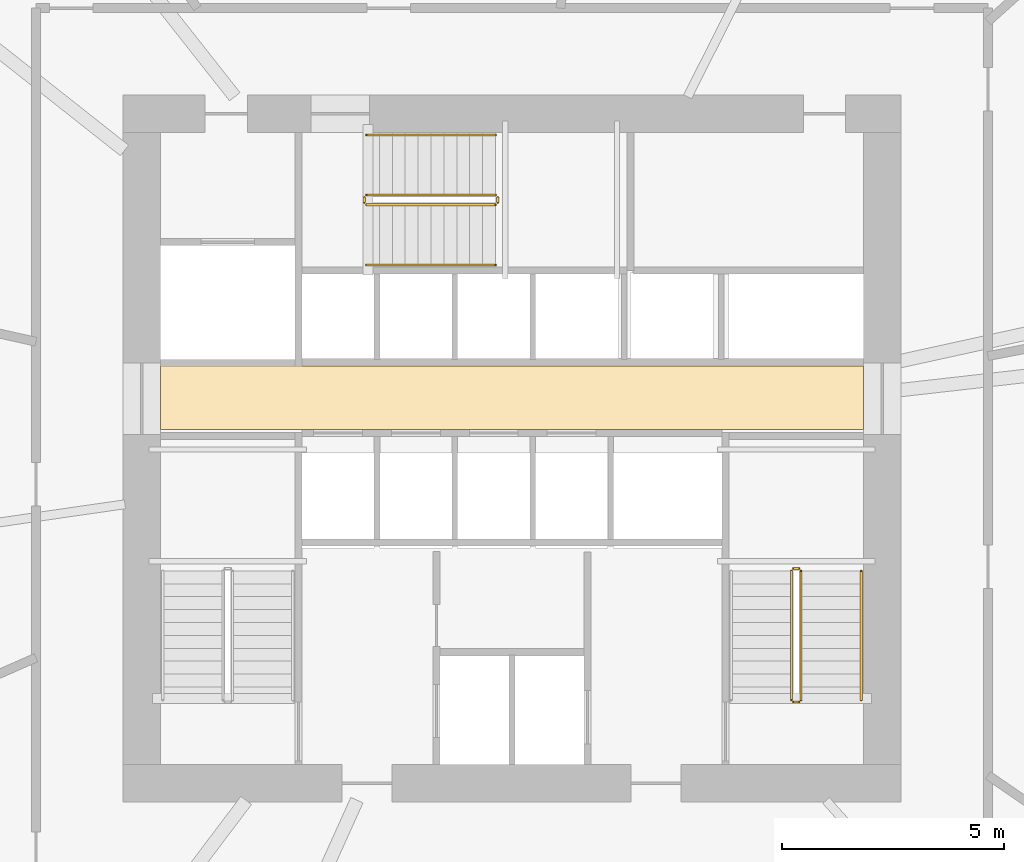
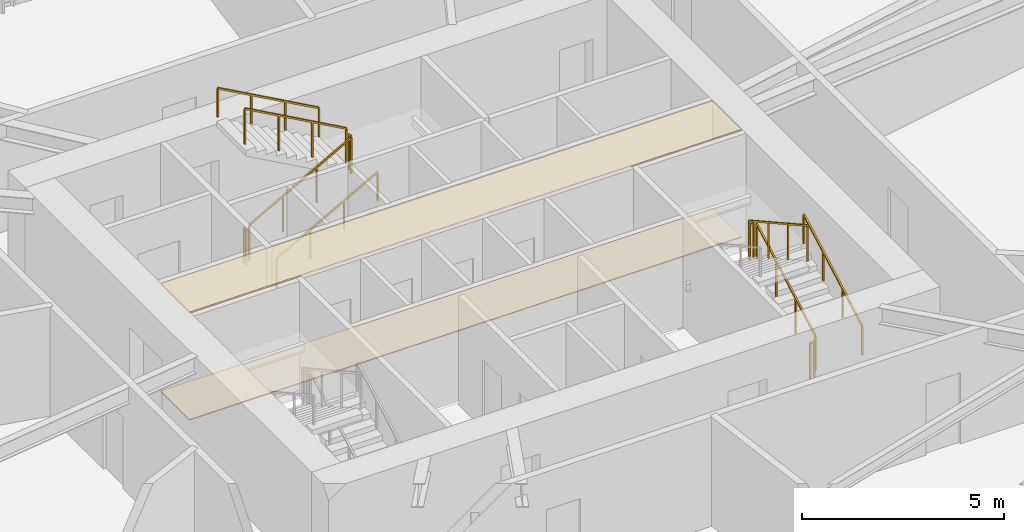
# One storey, part 23 of 24: 11 railings, 2 coverings.
"""IFC4 building model written with IfcOpenShell, lengths in metres."""

from ifc_helpers import new_model, si_unit, direction, frame, origin, origin_2d, place, context, subcontext, project, spatial, polyline, rectangle, outline, extrude, material, layer, layer_set, type_object, element, save


model = new_model("IFC4")

# Units and contexts
model_context = context("Model", 3, precision=1e-05, world=origin(), true_north=direction((0.0, 1.0)))
body_context = subcontext(model_context, "Body", "Model", "MODEL_VIEW")
ifc_project = project(units=[si_unit("LENGTHUNIT", "METRE"), si_unit("AREAUNIT", "SQUARE_METRE"), si_unit("VOLUMEUNIT", "CUBIC_METRE"), si_unit("PLANEANGLEUNIT", "RADIAN"), si_unit("MASSUNIT", "GRAM", prefix="KILO")], contexts=[model_context])

# Site, building, storey
site_placement = place(None, origin())
site = spatial("IfcSite", under=ifc_project, at=site_placement, CompositionType="ELEMENT")
building_placement = place(site_placement, origin())
building = spatial("IfcBuilding", under=site, at=building_placement, Name="Olszyna Solenne Hotel", CompositionType="ELEMENT")
storey_placement = place(building_placement, frame((0.0, 0.0, 64.800048828125)))
storey = spatial("IfcBuildingStorey", under=building, at=storey_placement, Name="L16", CompositionType="ELEMENT", Elevation=64.800048828125)

# Coverings
ifc_material_1 = material(Name="Mineral wool acoustic ceiling")
ifc_layer_1 = layer(ifc_material_1, 0.0400390625, Name="Mineral wool acoustic ceiling")
ifc_layer_set_1 = layer_set([ifc_layer_1], Name="Mineral wool acoustic ceiling")
covering_type_1 = type_object("IfcCoveringType", Name="CL-AC1", PredefinedType="CEILING", material=ifc_layer_set_1)
covering_1_placement = place(storey_placement, frame((0.0, 0.0, 3.239990234375)))
element("IfcCovering", 1, at=covering_1_placement, inside=storey, type_object=covering_type_1, Name="Lift lobby acoustic tile ceiling CL-L16-01", PredefinedType="CEILING", context=body_context, shape_type="SweptSolid", body=[
    extrude(outline(polyline([(30.10009765625, 27.030029296875), (45.89990234375, 27.030029296875), (45.89990234375, 28.4599609375), (30.10009765625, 28.4599609375), (30.10009765625, 27.030029296875)])), origin(), (0.0, 0.0, 1.0), 0.0400390625),
])
ifc_material_2 = material(Name="Ceramic floor tile")
ifc_layer_2 = layer(ifc_material_2, 0.030029296875, Name="Ceramic floor tile")
ifc_layer_set_2 = layer_set([ifc_layer_2], Name="Ceramic floor tile")
covering_type_2 = type_object("IfcCoveringType", Name="FL-TL1", PredefinedType="FLOORING", material=ifc_layer_set_2)
covering_2_placement = place(storey_placement, origin())
element("IfcCovering", 2, at=covering_2_placement, inside=storey, type_object=covering_type_2, Name="Lift lobby stoneware floor finish FLR-L16-01", PredefinedType="FLOORING", context=body_context, shape_type="SweptSolid", body=[
    extrude(outline(polyline([(30.10009765625, 27.030029296875), (45.89990234375, 27.030029296875), (45.89990234375, 28.4599609375), (30.10009765625, 28.4599609375), (30.10009765625, 27.030029296875)])), origin(), (0.0, 0.0, 1.0), 0.030029296875),
])

# Railings
ifc_material_3 = material(Name="Anodised bronze aluminium", Category="aluminium")
railing_type_1 = type_object("IfcRailingType", Name="GR-110", PredefinedType="BALUSTRADE", material=ifc_material_3)
railing_1_placement = place(storey_placement, frame((44.5, 20.949951171875, 0.161376953125)))
element("IfcRailing", 3, at=railing_1_placement, inside=storey, type_object=railing_type_1, Name="L16 ST2 stair guard 1", PredefinedType="BALUSTRADE", context=body_context, shape_type="SweptSolid", body=[
    extrude(rectangle(XDim=0.048095703125, YDim=0.048095703125, at=origin_2d()), frame((0.0, 0.0, 1.076171875), z_axis=(0.0, 0.873858693841, 0.486179990537), x_axis=(-1.0, 0.0, 0.0)), (0.0, 0.0, 1.0), 3.31884765625),
    extrude(rectangle(XDim=0.0419921875, YDim=0.0419921875, at=origin_2d()), origin(), (0.0, 0.0, 1.0), 1.052001953125),
    extrude(rectangle(XDim=0.0419921875, YDim=0.0419921875, at=origin_2d()), frame((0.0, 0.966796875, 0.537841796875)), (0.0, 0.0, 1.0), 1.052001953125),
    extrude(rectangle(XDim=0.0419921875, YDim=0.0419921875, at=origin_2d()), frame((0.0, 1.933349609375, 1.07568359375)), (0.0, 0.0, 1.0), 1.052001953125),
    extrude(rectangle(XDim=0.0419921875, YDim=0.0419921875, at=origin_2d()), frame((0.0, 2.900146484375, 1.613525390625)), (0.0, 0.0, 1.0), 1.052001953125),
])
railing_2_placement = place(storey_placement, frame((44.449951171875, 23.89990234375, 1.77490234375)))
element("IfcRailing", 4, at=railing_2_placement, inside=storey, type_object=railing_type_1, Name="L16 ST2 stair guard 2", PredefinedType="BALUSTRADE", context=body_context, shape_type="SweptSolid", body=[
    extrude(rectangle(XDim=0.048095703125, YDim=0.048095703125, at=origin_2d()), frame((0.0, 0.0, 1.076171875), z_axis=(-1.0, 0.0, 0.0), x_axis=(0.0, -1.0, 0.0)), (0.0, 0.0, 1.0), 0.119873046875),
    extrude(rectangle(XDim=0.0419921875, YDim=0.0419921875, at=origin_2d()), origin(), (0.0, 0.0, 1.0), 1.052001953125),
    extrude(rectangle(XDim=0.0419921875, YDim=0.0419921875, at=origin_2d()), frame((-0.119873046875, 0.0, 0.0)), (0.0, 0.0, 1.0), 1.052001953125),
])
railing_3_placement = place(storey_placement, frame((44.280029296875, 23.85009765625, 1.936279296875)))
element("IfcRailing", 5, at=railing_3_placement, inside=storey, type_object=railing_type_1, Name="L16 ST2 stair guard 3", PredefinedType="BALUSTRADE", context=body_context, shape_type="SweptSolid", body=[
    extrude(rectangle(XDim=0.048095703125, YDim=0.048095703125, at=origin_2d()), frame((0.0, 0.0, 1.076171875), z_axis=(0.0, -0.873827439584, 0.48623616261), x_axis=(1.0, 0.0, 0.0)), (0.0, 0.0, 1.0), 3.31884765625),
    extrude(rectangle(XDim=0.0419921875, YDim=0.0419921875, at=origin_2d()), origin(), (0.0, 0.0, 1.0), 1.052001953125),
    extrude(rectangle(XDim=0.0419921875, YDim=0.0419921875, at=origin_2d()), frame((0.0, -0.966796875, 0.537841796875)), (0.0, 0.0, 1.0), 1.052001953125),
    extrude(rectangle(XDim=0.0419921875, YDim=0.0419921875, at=origin_2d()), frame((0.0, -1.933349609375, 1.075927734375)), (0.0, 0.0, 1.0), 1.052001953125),
    extrude(rectangle(XDim=0.0419921875, YDim=0.0419921875, at=origin_2d()), frame((0.0, -2.900146484375, 1.61376953125)), (0.0, 0.0, 1.0), 1.052001953125),
])
railing_4_placement = place(storey_placement, frame((44.449951171875, 20.89990234375, 0.0)))
element("IfcRailing", 6, at=railing_4_placement, inside=storey, type_object=railing_type_1, Name="L16 ST2 stair guard 4", PredefinedType="BALUSTRADE", context=body_context, shape_type="SweptSolid", body=[
    extrude(rectangle(XDim=0.048095703125, YDim=0.048095703125, at=origin_2d()), frame((0.0, 0.0, 1.076171875), z_axis=(-1.0, 0.0, 0.0), x_axis=(0.0, -1.0, 0.0)), (0.0, 0.0, 1.0), 0.119873046875),
    extrude(rectangle(XDim=0.0419921875, YDim=0.0419921875, at=origin_2d()), origin(), (0.0, 0.0, 1.0), 1.052001953125),
    extrude(rectangle(XDim=0.0419921875, YDim=0.0419921875, at=origin_2d()), frame((-0.119873046875, 0.0, 0.0)), (0.0, 0.0, 1.0), 1.052001953125),
])
railing_5_placement = place(storey_placement, frame((34.72998046875, 32.080078125, 0.161376953125)))
element("IfcRailing", 7, at=railing_5_placement, inside=storey, type_object=railing_type_1, Name="L16 ST3 stair guard 1", PredefinedType="BALUSTRADE", context=body_context, shape_type="SweptSolid", body=[
    extrude(rectangle(XDim=0.048095703125, YDim=0.048095703125, at=origin_2d()), frame((0.0, 0.0, 1.076171875), z_axis=(0.873841303929, 0.0, 0.486211245805), x_axis=(0.0, 1.0, 0.0)), (0.0, 0.0, 1.0), 3.318603515625),
    extrude(rectangle(XDim=0.0419921875, YDim=0.0419921875, at=origin_2d()), origin(), (0.0, 0.0, 1.0), 1.052001953125),
    extrude(rectangle(XDim=0.0419921875, YDim=0.0419921875, at=origin_2d()), frame((0.966552734375, 0.0, 0.537841796875)), (0.0, 0.0, 1.0), 1.052001953125),
    extrude(rectangle(XDim=0.0419921875, YDim=0.0419921875, at=origin_2d()), frame((1.933349609375, 0.0, 1.07568359375)), (0.0, 0.0, 1.0), 1.052001953125),
    extrude(rectangle(XDim=0.0419921875, YDim=0.0419921875, at=origin_2d()), frame((2.89990234375, 0.0, 1.613525390625)), (0.0, 0.0, 1.0), 1.052001953125),
])
railing_6_placement = place(storey_placement, frame((37.679931640625, 32.1298828125, 1.77490234375)))
element("IfcRailing", 8, at=railing_6_placement, inside=storey, type_object=railing_type_1, Name="L16 ST3 stair guard 2", PredefinedType="BALUSTRADE", context=body_context, shape_type="SweptSolid", body=[
    extrude(rectangle(XDim=0.048095703125, YDim=0.048095703125, at=origin_2d()), frame((0.0, 0.0, 1.076171875), z_axis=(0.0, 1.0, 0.0), x_axis=(-1.0, 0.0, 0.0)), (0.0, 0.0, 1.0), 0.1201171875),
    extrude(rectangle(XDim=0.0419921875, YDim=0.0419921875, at=origin_2d()), origin(), (0.0, 0.0, 1.0), 1.052001953125),
    extrude(rectangle(XDim=0.0419921875, YDim=0.0419921875, at=origin_2d()), frame((0.0, 0.1201171875, 0.0)), (0.0, 0.0, 1.0), 1.052001953125),
])
railing_7_placement = place(storey_placement, frame((37.6298828125, 32.300048828125, 1.936279296875)))
element("IfcRailing", 9, at=railing_7_placement, inside=storey, type_object=railing_type_1, Name="L16 ST3 stair guard 3", PredefinedType="BALUSTRADE", context=body_context, shape_type="SweptSolid", body=[
    extrude(rectangle(XDim=0.048095703125, YDim=0.048095703125, at=origin_2d()), frame((0.0, 0.0, 1.076171875), z_axis=(-0.873810046276, 0.0, 0.486267419253), x_axis=(0.0, -1.0, 0.0)), (0.0, 0.0, 1.0), 3.318603515625),
    extrude(rectangle(XDim=0.0419921875, YDim=0.0419921875, at=origin_2d()), origin(), (0.0, 0.0, 1.0), 1.052001953125),
    extrude(rectangle(XDim=0.0419921875, YDim=0.0419921875, at=origin_2d()), frame((-0.966552734375, 0.0, 0.537841796875)), (0.0, 0.0, 1.0), 1.052001953125),
    extrude(rectangle(XDim=0.0419921875, YDim=0.0419921875, at=origin_2d()), frame((-1.933349609375, 0.0, 1.075927734375)), (0.0, 0.0, 1.0), 1.052001953125),
    extrude(rectangle(XDim=0.0419921875, YDim=0.0419921875, at=origin_2d()), frame((-2.89990234375, 0.0, 1.61376953125)), (0.0, 0.0, 1.0), 1.052001953125),
])
railing_8_placement = place(storey_placement, frame((34.679931640625, 32.1298828125, 0.0)))
element("IfcRailing", 10, at=railing_8_placement, inside=storey, type_object=railing_type_1, Name="L16 ST3 stair guard 4", PredefinedType="BALUSTRADE", context=body_context, shape_type="SweptSolid", body=[
    extrude(rectangle(XDim=0.048095703125, YDim=0.048095703125, at=origin_2d()), frame((0.0, 0.0, 1.076171875), z_axis=(0.0, 1.0, 0.0), x_axis=(-1.0, 0.0, 0.0)), (0.0, 0.0, 1.0), 0.1201171875),
    extrude(rectangle(XDim=0.0419921875, YDim=0.0419921875, at=origin_2d()), origin(), (0.0, 0.0, 1.0), 1.052001953125),
    extrude(rectangle(XDim=0.0419921875, YDim=0.0419921875, at=origin_2d()), frame((0.0, 0.1201171875, 0.0)), (0.0, 0.0, 1.0), 1.052001953125),
])
ifc_material_4 = material(Name="Steel S355J2", Category="steel")
railing_type_2 = type_object("IfcRailingType", Name="HR-090", PredefinedType="HANDRAIL", material=ifc_material_4)
railing_9_placement = place(storey_placement, frame((45.85009765625, 20.949951171875, 0.161376953125)))
element("IfcRailing", 11, at=railing_9_placement, inside=storey, type_object=railing_type_2, Name="L16 ST2 stair handrail 1", PredefinedType="HANDRAIL", context=body_context, shape_type="SweptSolid", body=[
    extrude(rectangle(XDim=0.048095703125, YDim=0.048095703125, at=origin_2d()), frame((0.0, 0.0, 0.8759765625), z_axis=(0.0, 0.873858693841, 0.486179990537), x_axis=(-1.0, 0.0, 0.0)), (0.0, 0.0, 1.0), 3.31884765625),
    extrude(rectangle(XDim=0.0419921875, YDim=0.0419921875, at=origin_2d()), origin(), (0.0, 0.0, 1.0), 0.851806640625),
    extrude(rectangle(XDim=0.0419921875, YDim=0.0419921875, at=origin_2d()), frame((0.0, 0.966796875, 0.537841796875)), (0.0, 0.0, 1.0), 0.851806640625),
    extrude(rectangle(XDim=0.0419921875, YDim=0.0419921875, at=origin_2d()), frame((0.0, 1.933349609375, 1.07568359375)), (0.0, 0.0, 1.0), 0.851806640625),
    extrude(rectangle(XDim=0.0419921875, YDim=0.0419921875, at=origin_2d()), frame((0.0, 2.900146484375, 1.613525390625)), (0.0, 0.0, 1.0), 0.851806640625),
])
railing_10_placement = place(storey_placement, frame((34.72998046875, 30.72998046875, 0.161376953125)))
element("IfcRailing", 12, at=railing_10_placement, inside=storey, type_object=railing_type_2, Name="L16 ST3 stair handrail 1", PredefinedType="HANDRAIL", context=body_context, shape_type="SweptSolid", body=[
    extrude(rectangle(XDim=0.048095703125, YDim=0.048095703125, at=origin_2d()), frame((0.0, 0.0, 0.8759765625), z_axis=(0.873841303929, 0.0, 0.486211245805), x_axis=(0.0, 1.0, 0.0)), (0.0, 0.0, 1.0), 3.318603515625),
    extrude(rectangle(XDim=0.0419921875, YDim=0.0419921875, at=origin_2d()), origin(), (0.0, 0.0, 1.0), 0.851806640625),
    extrude(rectangle(XDim=0.0419921875, YDim=0.0419921875, at=origin_2d()), frame((0.966552734375, 0.0, 0.537841796875)), (0.0, 0.0, 1.0), 0.851806640625),
    extrude(rectangle(XDim=0.0419921875, YDim=0.0419921875, at=origin_2d()), frame((1.933349609375, 0.0, 1.07568359375)), (0.0, 0.0, 1.0), 0.851806640625),
    extrude(rectangle(XDim=0.0419921875, YDim=0.0419921875, at=origin_2d()), frame((2.89990234375, 0.0, 1.613525390625)), (0.0, 0.0, 1.0), 0.851806640625),
])
railing_11_placement = place(storey_placement, frame((37.6298828125, 33.64990234375, 1.936279296875)))
element("IfcRailing", 13, at=railing_11_placement, inside=storey, type_object=railing_type_2, Name="L16 ST3 stair handrail 2", PredefinedType="HANDRAIL", context=body_context, shape_type="SweptSolid", body=[
    extrude(rectangle(XDim=0.048095703125, YDim=0.048095703125, at=origin_2d()), frame((0.0, 0.0, 0.8759765625), z_axis=(-0.873810046276, 0.0, 0.486267419253), x_axis=(0.0, -1.0, 0.0)), (0.0, 0.0, 1.0), 3.318603515625),
    extrude(rectangle(XDim=0.0419921875, YDim=0.0419921875, at=origin_2d()), origin(), (0.0, 0.0, 1.0), 0.851806640625),
    extrude(rectangle(XDim=0.0419921875, YDim=0.0419921875, at=origin_2d()), frame((-0.966552734375, 0.0, 0.537841796875)), (0.0, 0.0, 1.0), 0.851806640625),
    extrude(rectangle(XDim=0.0419921875, YDim=0.0419921875, at=origin_2d()), frame((-1.933349609375, 0.0, 1.075927734375)), (0.0, 0.0, 1.0), 0.851806640625),
    extrude(rectangle(XDim=0.0419921875, YDim=0.0419921875, at=origin_2d()), frame((-2.89990234375, 0.0, 1.61376953125)), (0.0, 0.0, 1.0), 0.851806640625),
])

save(model, "model.ifc")
